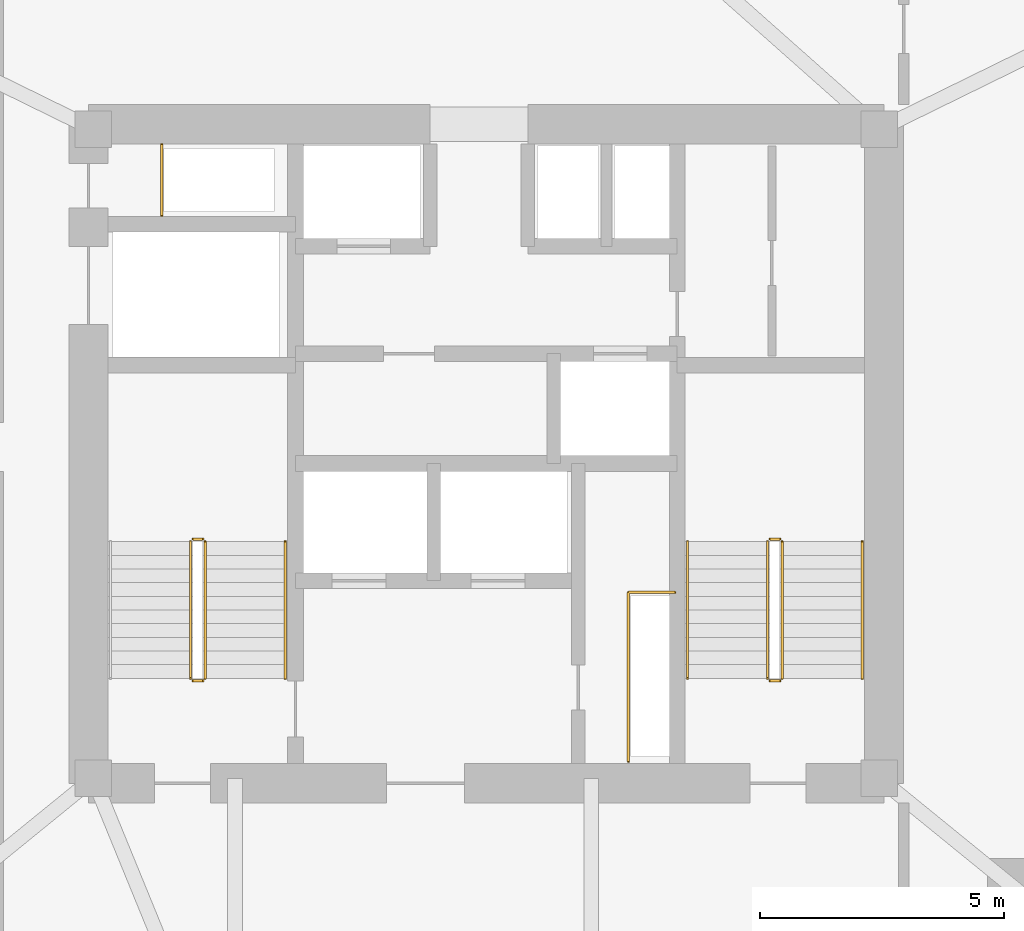
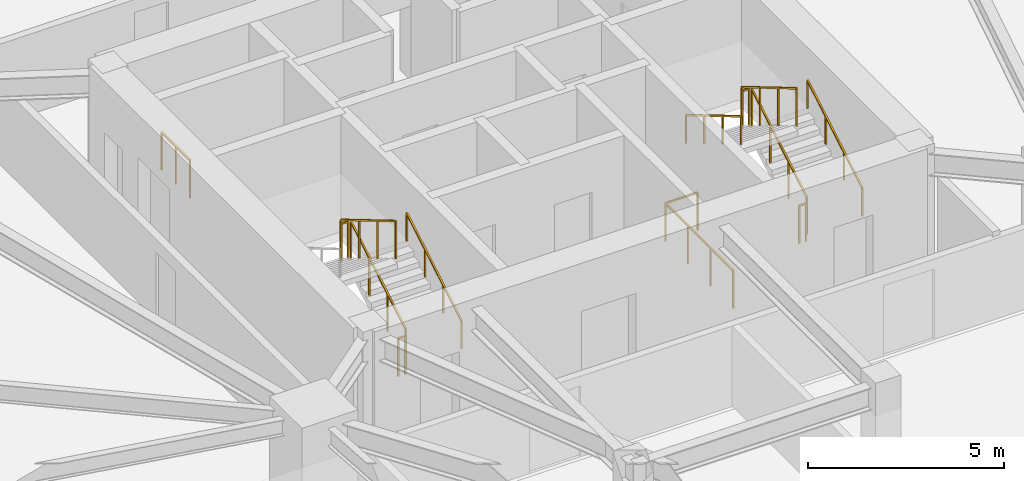
# One storey, part 18 of 18: 13 railings.
"""IFC4 building model written with IfcOpenShell, lengths in metres."""

from ifc_helpers import new_model, si_unit, direction, frame, origin, origin_2d, place, context, subcontext, project, spatial, rectangle, extrude, material, type_object, element, save


model = new_model("IFC4")

# Units and contexts
model_context = context("Model", 3, precision=1e-05, world=origin(), true_north=direction((0.0, 1.0)))
body_context = subcontext(model_context, "Body", "Model", "MODEL_VIEW")
ifc_project = project(units=[si_unit("LENGTHUNIT", "METRE"), si_unit("AREAUNIT", "SQUARE_METRE"), si_unit("VOLUMEUNIT", "CUBIC_METRE"), si_unit("PLANEANGLEUNIT", "RADIAN"), si_unit("MASSUNIT", "GRAM", prefix="KILO")], contexts=[model_context])

# Site, building, storey
site_placement = place(None, origin())
site = spatial("IfcSite", under=ifc_project, at=site_placement, CompositionType="ELEMENT")
building_placement = place(site_placement, origin())
building = spatial("IfcBuilding", under=site, at=building_placement, Name="Talyreon Biosciences Tower", CompositionType="ELEMENT")
storey_placement = place(building_placement, frame((0.0, 0.0, 89.60009765625)))
storey = spatial("IfcBuildingStorey", under=building, at=storey_placement, Name="L23", CompositionType="ELEMENT", Elevation=89.60009765625)

# Railings
ifc_material_1 = material(Name="Brushed stainless-steel tubular handrail", Category="steel")
railing_type_1 = type_object("IfcRailingType", Name="StairWallHandrail_900", PredefinedType="HANDRAIL", material=ifc_material_1)
for number, where, name in (
    (1, (61.8798828125, 63.39990234375, 0.165771484375), "L23 ST-1 stair handrail 1"),
    (2, (73.699951171875, 63.39990234375, 0.165771484375), "L23 ST-2 stair handrail 1"),
):
    element("IfcRailing", number, at=place(storey_placement, frame(where)), inside=storey, type_object=railing_type_1, Name=name, PredefinedType="HANDRAIL", context=body_context, shape_type="SweptSolid", body=[
        extrude(rectangle(XDim=0.048095703125, YDim=0.048095703125, at=origin_2d()), frame((0.0, 0.0, 0.8759765625), z_axis=(0.0, 0.860306154799, 0.50977771628), x_axis=(-1.0, 0.0, 0.0)), (0.0, 0.0, 1.0), 3.254638671875),
        extrude(rectangle(XDim=0.0419921875, YDim=0.0419921875, at=origin_2d()), origin(), (0.0, 0.0, 1.0), 0.851806640625),
        extrude(rectangle(XDim=0.0419921875, YDim=0.0419921875, at=origin_2d()), frame((0.0, 0.933349609375, 0.552978515625)), (0.0, 0.0, 1.0), 0.851806640625),
        extrude(rectangle(XDim=0.0419921875, YDim=0.0419921875, at=origin_2d()), frame((0.0, 1.86669921875, 1.106201171875)), (0.0, 0.0, 1.0), 0.851806640625),
        extrude(rectangle(XDim=0.0419921875, YDim=0.0419921875, at=origin_2d()), frame((0.0, 2.800048828125, 1.6591796875)), (0.0, 0.0, 1.0), 0.851806640625),
    ])
railing_1_placement = place(storey_placement, frame((70.1201171875, 66.199951171875, 1.99072265625)))
element("IfcRailing", 3, at=railing_1_placement, inside=storey, type_object=railing_type_1, Name="L23 ST-2 stair handrail 2", PredefinedType="HANDRAIL", context=body_context, shape_type="SweptSolid", body=[
    extrude(rectangle(XDim=0.048095703125, YDim=0.048095703125, at=origin_2d()), frame((0.0, 0.0, 0.8759765625), z_axis=(0.0, -0.860306154799, 0.50977771628), x_axis=(1.0, 0.0, 0.0)), (0.0, 0.0, 1.0), 3.254638671875),
    extrude(rectangle(XDim=0.0419921875, YDim=0.0419921875, at=origin_2d()), origin(), (0.0, 0.0, 1.0), 0.851806640625),
    extrude(rectangle(XDim=0.0419921875, YDim=0.0419921875, at=origin_2d()), frame((0.0, -0.933349609375, 0.552978515625)), (0.0, 0.0, 1.0), 0.851806640625),
    extrude(rectangle(XDim=0.0419921875, YDim=0.0419921875, at=origin_2d()), frame((0.0, -1.86669921875, 1.106201171875)), (0.0, 0.0, 1.0), 0.851806640625),
    extrude(rectangle(XDim=0.0419921875, YDim=0.0419921875, at=origin_2d()), frame((0.0, -2.800048828125, 1.6591796875)), (0.0, 0.0, 1.0), 0.851806640625),
])
ifc_material_2 = material(Name="Painted galvanised steel post-and-rail balustrade", Category="steel")
railing_type_2 = type_object("IfcRailingType", Name="TerraceStairGuard_1200", PredefinedType="GUARDRAIL", material=ifc_material_2)
railing_2_placement = place(storey_placement, frame((60.239990234375, 63.39990234375, 0.165771484375)))
element("IfcRailing", 4, at=railing_2_placement, inside=storey, type_object=railing_type_2, Name="L23 ST-1 stair guard 1", PredefinedType="GUARDRAIL", context=body_context, shape_type="SweptSolid", body=[
    extrude(rectangle(XDim=0.048095703125, YDim=0.048095703125, at=origin_2d()), frame((0.0, 0.0, 1.17578125), z_axis=(0.0, 0.860306154799, 0.50977771628), x_axis=(-1.0, 0.0, 0.0)), (0.0, 0.0, 1.0), 3.254638671875),
    extrude(rectangle(XDim=0.0419921875, YDim=0.0419921875, at=origin_2d()), origin(), (0.0, 0.0, 1.0), 1.15185546875),
    extrude(rectangle(XDim=0.0419921875, YDim=0.0419921875, at=origin_2d()), frame((0.0, 0.933349609375, 0.552978515625)), (0.0, 0.0, 1.0), 1.15185546875),
    extrude(rectangle(XDim=0.0419921875, YDim=0.0419921875, at=origin_2d()), frame((0.0, 1.86669921875, 1.106201171875)), (0.0, 0.0, 1.0), 1.15185546875),
    extrude(rectangle(XDim=0.0419921875, YDim=0.0419921875, at=origin_2d()), frame((0.0, 2.800048828125, 1.6591796875)), (0.0, 0.0, 1.0), 1.15185546875),
])
railing_3_placement = place(storey_placement, frame((60.18994140625, 66.25, 1.824951171875)))
element("IfcRailing", 5, at=railing_3_placement, inside=storey, type_object=railing_type_2, Name="L23 ST-1 stair guard 2", PredefinedType="GUARDRAIL", context=body_context, shape_type="SweptSolid", body=[
    extrude(rectangle(XDim=0.048095703125, YDim=0.048095703125, at=origin_2d()), frame((0.0, 0.0, 1.17578125), z_axis=(-1.0, 0.0, 0.0), x_axis=(0.0, -1.0, 0.0)), (0.0, 0.0, 1.0), 0.199951171875),
    extrude(rectangle(XDim=0.0419921875, YDim=0.0419921875, at=origin_2d()), origin(), (0.0, 0.0, 1.0), 1.15185546875),
    extrude(rectangle(XDim=0.0419921875, YDim=0.0419921875, at=origin_2d()), frame((-0.199951171875, 0.0, 0.0)), (0.0, 0.0, 1.0), 1.15185546875),
])
railing_4_placement = place(storey_placement, frame((59.93994140625, 66.199951171875, 1.99072265625)))
element("IfcRailing", 6, at=railing_4_placement, inside=storey, type_object=railing_type_2, Name="L23 ST-1 stair guard 3", PredefinedType="GUARDRAIL", context=body_context, shape_type="SweptSolid", body=[
    extrude(rectangle(XDim=0.048095703125, YDim=0.048095703125, at=origin_2d()), frame((0.0, 0.0, 1.17578125), z_axis=(0.0, -0.860306154799, 0.50977771628), x_axis=(1.0, 0.0, 0.0)), (0.0, 0.0, 1.0), 3.254638671875),
    extrude(rectangle(XDim=0.0419921875, YDim=0.0419921875, at=origin_2d()), origin(), (0.0, 0.0, 1.0), 1.15185546875),
    extrude(rectangle(XDim=0.0419921875, YDim=0.0419921875, at=origin_2d()), frame((0.0, -0.933349609375, 0.552978515625)), (0.0, 0.0, 1.0), 1.15185546875),
    extrude(rectangle(XDim=0.0419921875, YDim=0.0419921875, at=origin_2d()), frame((0.0, -1.86669921875, 1.106201171875)), (0.0, 0.0, 1.0), 1.15185546875),
    extrude(rectangle(XDim=0.0419921875, YDim=0.0419921875, at=origin_2d()), frame((0.0, -2.800048828125, 1.6591796875)), (0.0, 0.0, 1.0), 1.15185546875),
])
railing_5_placement = place(storey_placement, frame((60.18994140625, 63.35009765625, 0.0)))
element("IfcRailing", 7, at=railing_5_placement, inside=storey, type_object=railing_type_2, Name="L23 ST-1 stair guard 4", PredefinedType="GUARDRAIL", context=body_context, shape_type="SweptSolid", body=[
    extrude(rectangle(XDim=0.048095703125, YDim=0.048095703125, at=origin_2d()), frame((0.0, 0.0, 1.17578125), z_axis=(-1.0, 0.0, 0.0), x_axis=(0.0, -1.0, 0.0)), (0.0, 0.0, 1.0), 0.199951171875),
    extrude(rectangle(XDim=0.0419921875, YDim=0.0419921875, at=origin_2d()), origin(), (0.0, 0.0, 1.0), 1.15185546875),
    extrude(rectangle(XDim=0.0419921875, YDim=0.0419921875, at=origin_2d()), frame((-0.199951171875, 0.0, 0.0)), (0.0, 0.0, 1.0), 1.15185546875),
])
railing_6_placement = place(storey_placement, frame((72.06005859375, 63.39990234375, 0.165771484375)))
element("IfcRailing", 8, at=railing_6_placement, inside=storey, type_object=railing_type_2, Name="L23 ST-2 stair guard 1", PredefinedType="GUARDRAIL", context=body_context, shape_type="SweptSolid", body=[
    extrude(rectangle(XDim=0.048095703125, YDim=0.048095703125, at=origin_2d()), frame((0.0, 0.0, 1.17578125), z_axis=(0.0, 0.860306154799, 0.50977771628), x_axis=(-1.0, 0.0, 0.0)), (0.0, 0.0, 1.0), 3.254638671875),
    extrude(rectangle(XDim=0.0419921875, YDim=0.0419921875, at=origin_2d()), origin(), (0.0, 0.0, 1.0), 1.15185546875),
    extrude(rectangle(XDim=0.0419921875, YDim=0.0419921875, at=origin_2d()), frame((0.0, 0.933349609375, 0.552978515625)), (0.0, 0.0, 1.0), 1.15185546875),
    extrude(rectangle(XDim=0.0419921875, YDim=0.0419921875, at=origin_2d()), frame((0.0, 1.86669921875, 1.106201171875)), (0.0, 0.0, 1.0), 1.15185546875),
    extrude(rectangle(XDim=0.0419921875, YDim=0.0419921875, at=origin_2d()), frame((0.0, 2.800048828125, 1.6591796875)), (0.0, 0.0, 1.0), 1.15185546875),
])
railing_7_placement = place(storey_placement, frame((72.010009765625, 66.25, 1.824951171875)))
element("IfcRailing", 9, at=railing_7_placement, inside=storey, type_object=railing_type_2, Name="L23 ST-2 stair guard 2", PredefinedType="GUARDRAIL", context=body_context, shape_type="SweptSolid", body=[
    extrude(rectangle(XDim=0.048095703125, YDim=0.048095703125, at=origin_2d()), frame((0.0, 0.0, 1.17578125), z_axis=(-1.0, 0.0, 0.0), x_axis=(0.0, -1.0, 0.0)), (0.0, 0.0, 1.0), 0.199951171875),
    extrude(rectangle(XDim=0.0419921875, YDim=0.0419921875, at=origin_2d()), origin(), (0.0, 0.0, 1.0), 1.15185546875),
    extrude(rectangle(XDim=0.0419921875, YDim=0.0419921875, at=origin_2d()), frame((-0.199951171875, 0.0, 0.0)), (0.0, 0.0, 1.0), 1.15185546875),
])
railing_8_placement = place(storey_placement, frame((71.760009765625, 66.199951171875, 1.99072265625)))
element("IfcRailing", 10, at=railing_8_placement, inside=storey, type_object=railing_type_2, Name="L23 ST-2 stair guard 3", PredefinedType="GUARDRAIL", context=body_context, shape_type="SweptSolid", body=[
    extrude(rectangle(XDim=0.048095703125, YDim=0.048095703125, at=origin_2d()), frame((0.0, 0.0, 1.17578125), z_axis=(0.0, -0.860306154799, 0.50977771628), x_axis=(1.0, 0.0, 0.0)), (0.0, 0.0, 1.0), 3.254638671875),
    extrude(rectangle(XDim=0.0419921875, YDim=0.0419921875, at=origin_2d()), origin(), (0.0, 0.0, 1.0), 1.15185546875),
    extrude(rectangle(XDim=0.0419921875, YDim=0.0419921875, at=origin_2d()), frame((0.0, -0.933349609375, 0.552978515625)), (0.0, 0.0, 1.0), 1.15185546875),
    extrude(rectangle(XDim=0.0419921875, YDim=0.0419921875, at=origin_2d()), frame((0.0, -1.86669921875, 1.106201171875)), (0.0, 0.0, 1.0), 1.15185546875),
    extrude(rectangle(XDim=0.0419921875, YDim=0.0419921875, at=origin_2d()), frame((0.0, -2.800048828125, 1.6591796875)), (0.0, 0.0, 1.0), 1.15185546875),
])
railing_9_placement = place(storey_placement, frame((72.010009765625, 63.35009765625, 0.0)))
element("IfcRailing", 11, at=railing_9_placement, inside=storey, type_object=railing_type_2, Name="L23 ST-2 stair guard 4", PredefinedType="GUARDRAIL", context=body_context, shape_type="SweptSolid", body=[
    extrude(rectangle(XDim=0.048095703125, YDim=0.048095703125, at=origin_2d()), frame((0.0, 0.0, 1.17578125), z_axis=(-1.0, 0.0, 0.0), x_axis=(0.0, -1.0, 0.0)), (0.0, 0.0, 1.0), 0.199951171875),
    extrude(rectangle(XDim=0.0419921875, YDim=0.0419921875, at=origin_2d()), origin(), (0.0, 0.0, 1.0), 1.15185546875),
    extrude(rectangle(XDim=0.0419921875, YDim=0.0419921875, at=origin_2d()), frame((-0.199951171875, 0.0, 0.0)), (0.0, 0.0, 1.0), 1.15185546875),
])
railing_10_placement = place(storey_placement, frame((59.35009765625, 72.8798828125, 0.0)))
element("IfcRailing", 12, at=railing_10_placement, inside=storey, type_object=railing_type_2, Name="L23 Exhaust Riser Maintenance Guardrail", PredefinedType="GUARDRAIL", context=body_context, shape_type="SweptSolid", body=[
    extrude(rectangle(XDim=0.048095703125, YDim=0.048095703125, at=origin_2d()), frame((0.0, 0.0, 1.17578125), z_axis=(0.0, 1.0, 0.0), x_axis=(-1.0, 0.0, 0.0)), (0.0, 0.0, 1.0), 1.4501953125),
    extrude(rectangle(XDim=0.0419921875, YDim=0.0419921875, at=origin_2d()), origin(), (0.0, 0.0, 1.0), 1.15185546875),
    extrude(rectangle(XDim=0.0419921875, YDim=0.0419921875, at=origin_2d()), frame((0.0, 0.72509765625, 0.0)), (0.0, 0.0, 1.0), 1.15185546875),
    extrude(rectangle(XDim=0.0419921875, YDim=0.0419921875, at=origin_2d()), frame((0.0, 1.4501953125, 0.0)), (0.0, 0.0, 1.0), 1.15185546875),
])
railing_11_placement = place(storey_placement, frame((68.909912109375, 61.699951171875, 0.0)))
element("IfcRailing", 13, at=railing_11_placement, inside=storey, type_object=railing_type_2, Name="L23 Electrical Riser Maintenance Guardrail", PredefinedType="GUARDRAIL", context=body_context, shape_type="SweptSolid", body=[
    extrude(rectangle(XDim=0.048095703125, YDim=0.048095703125, at=origin_2d()), frame((0.0, 0.0, 1.17578125), z_axis=(0.0, 1.0, 0.0), x_axis=(-1.0, 0.0, 0.0)), (0.0, 0.0, 1.0), 3.4599609375),
    extrude(rectangle(XDim=0.048095703125, YDim=0.048095703125, at=origin_2d()), frame((0.0, 3.4599609375, 1.17578125), z_axis=(1.0, 0.0, 0.0), x_axis=(0.0, 1.0, 0.0)), (0.0, 0.0, 1.0), 0.9501953125),
    extrude(rectangle(XDim=0.0419921875, YDim=0.0419921875, at=origin_2d()), origin(), (0.0, 0.0, 1.0), 1.15185546875),
    extrude(rectangle(XDim=0.0419921875, YDim=0.0419921875, at=origin_2d()), frame((0.0, 1.1533203125, 0.0)), (0.0, 0.0, 1.0), 1.15185546875),
    extrude(rectangle(XDim=0.0419921875, YDim=0.0419921875, at=origin_2d()), frame((0.0, 2.306640625, 0.0)), (0.0, 0.0, 1.0), 1.15185546875),
    extrude(rectangle(XDim=0.0419921875, YDim=0.0419921875, at=origin_2d()), frame((0.0, 3.4599609375, 0.0)), (0.0, 0.0, 1.0), 1.15185546875),
    extrude(rectangle(XDim=0.0419921875, YDim=0.0419921875, at=origin_2d()), frame((0.9501953125, 3.4599609375, 0.0)), (0.0, 0.0, 1.0), 1.15185546875),
])

save(model, "model.ifc")
